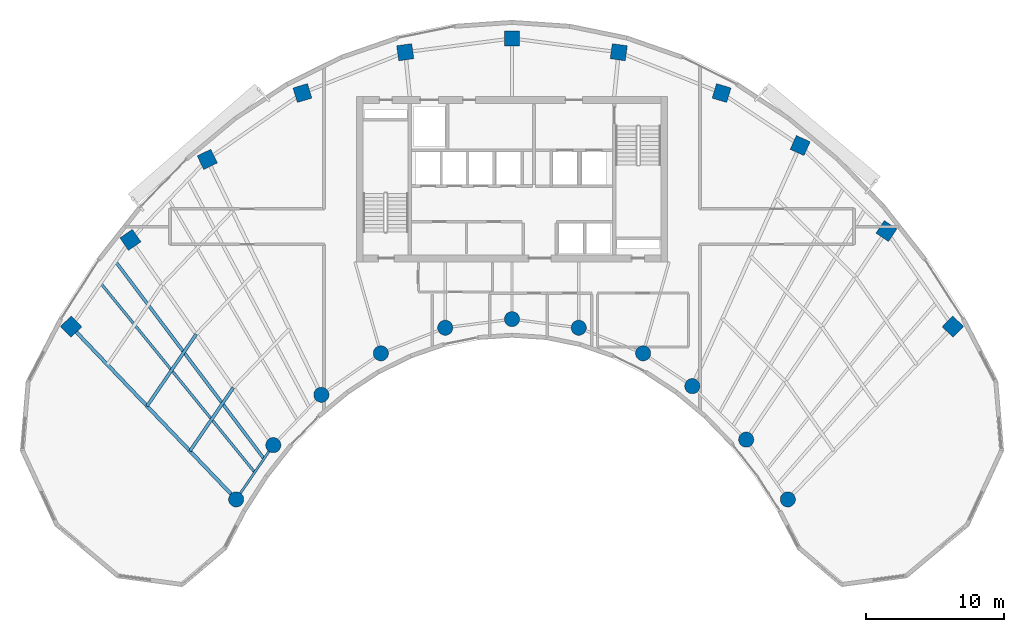
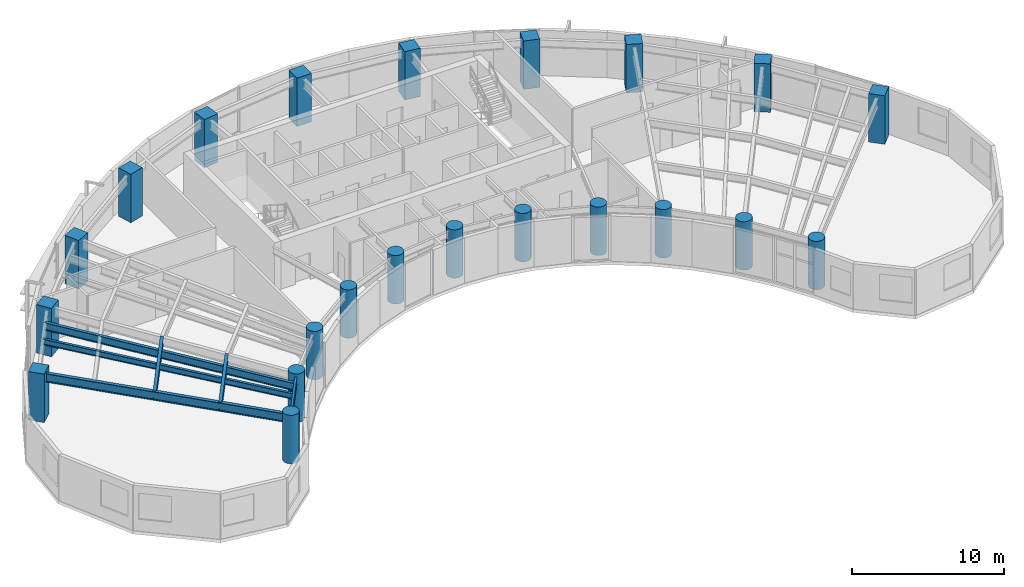
# One storey, part 1 of 13: 22 columns, 6 beams.
"""IFC4 building model written with IfcOpenShell, lengths in metres."""

from ifc_helpers import new_model, si_unit, direction, frame, origin, origin_2d, place, context, subcontext, project, spatial, rectangle, circle, i_section, extrude, source, transform, mapped, material, material_profile, profile_set, type_object, type_shapes, element, save


model = new_model("IFC4")

# Units and contexts
model_context = context("Model", 3, precision=1e-05, world=origin(), true_north=direction((0.0, 1.0)))
body_context = subcontext(model_context, "Body", "Model", "MODEL_VIEW")
ifc_project = project(units=[si_unit("LENGTHUNIT", "METRE"), si_unit("AREAUNIT", "SQUARE_METRE"), si_unit("VOLUMEUNIT", "CUBIC_METRE"), si_unit("PLANEANGLEUNIT", "RADIAN"), si_unit("MASSUNIT", "GRAM", prefix="KILO")], contexts=[model_context])

# Site, building, storey
site_placement = place(None, origin())
site = spatial("IfcSite", under=ifc_project, at=site_placement, CompositionType="ELEMENT")
building_placement = place(site_placement, origin())
building = spatial("IfcBuilding", under=site, at=building_placement, Name="Breltana Convention Tower", CompositionType="ELEMENT")
storey_placement = place(building_placement, frame((0.0, 0.0, 154.5)))
storey = spatial("IfcBuildingStorey", under=building, at=storey_placement, Name="L37", CompositionType="ELEMENT", Elevation=154.5)

# Columns
ifc_material_1 = material(Name="Concrete C60/75", Category="concrete")
ifc_material_profile_1 = material_profile(ifc_material_1, rectangle(XDim=1.10009765625, YDim=1.10009765625, at=origin_2d()), Name="RC-COL-1100X1100")
ifc_profile_set_1 = profile_set([ifc_material_profile_1], Name="Concrete C60/75")
column_type_1 = type_object("IfcColumnType", Name="COL-RC-1100", PredefinedType="COLUMN", material=ifc_profile_set_1)
shared_shape_1 = source(origin(), body_context, "Body", "SweptSolid", [
    extrude(rectangle(XDim=1.10009765625, YDim=1.10009765625, at=origin_2d()), origin(), (0.0, 0.0, 1.0), 3.89990234375),
])
for number, where, z_axis, x_axis, name in (
    (1, (16.0068359375, 55.494384765625, 0.0), (0.0, 0.0, 1.0), (-0.690756218984, 0.723087716626, 0.0), "L37 Tower Column R01-OUT"),
    (2, (20.310791015625, 61.78857421875, 0.0), (0.0, 0.0, 1.0), (-0.571143442153, 0.820850271661, 0.0), "L37 Tower Column R02-OUT"),
    (3, (25.8876953125, 67.626953125, 0.0), (0.0, 0.0, 1.0), (-0.436173672171, 0.899862504889, 0.0), "L37 Tower Column R03-OUT"),
    (4, (32.791015625, 72.4423828125, 0.0), (0.0, 0.0, 1.0), (-0.288697611798, 0.957420330337, 0.0), "L37 Tower Column R04-OUT"),
    (5, (40.253173828125, 75.404296875, 0.0), (0.0, 0.0, 1.0), (-0.143492621991, 0.98965138682, 0.0), "L37 Tower Column R05-OUT"),
    (6, (48.0, 76.404052734375, 0.0), (0.0, 0.0, 1.0), (0.0, 1.0, 0.0), "L37 Tower Column R06-OUT"),
    (7, (55.746826171875, 75.404296875, 0.0), (0.0, 0.0, 1.0), (0.143492621991, 0.98965138682, 0.0), "L37 Tower Column R07-OUT"),
    (8, (63.208984375, 72.4423828125, 0.0), (0.0, 0.0, 1.0), (0.288697611798, 0.957420330337, 0.0), "L37 Tower Column R08-OUT"),
    (9, (68.910400390625, 68.63330078125, 0.0), (0.0, 0.0, 1.0), (0.409126902895, 0.912477494148, 0.0), "L37 Tower Column R09-OUT"),
    (10, (75.166748046875, 62.43017578125, 0.0), (0.0, 0.0, 1.0), (0.55774510898, 0.830012285095, 0.0), "L37 Tower Column R10-OUT"),
    (11, (79.9931640625, 55.494384765625, 0.0), (0.0, 0.0, 1.0), (0.690756218984, 0.723087716626, 0.0), "L37 Tower Column R11-OUT"),
):
    element("IfcColumn", number, at=place(storey_placement, frame(where, z_axis=z_axis, x_axis=x_axis)), inside=storey, type_object=column_type_1, Name=name, PredefinedType="COLUMN", context=body_context, shape_type="MappedRepresentation", body=[
        mapped(shared_shape_1, transform((0.0, 0.0, 0.0), scale=1.0)),
    ])
ifc_material_2 = material(Name="Concrete C50/60", Category="concrete")
ifc_material_profile_2 = material_profile(ifc_material_2, circle(Radius=0.550048828125, at=origin_2d()), Name="RC-COL-D1100")
ifc_profile_set_2 = profile_set([ifc_material_profile_2], Name="Concrete C50/60")
column_type_2 = type_object("IfcColumnType", Name="COL-RC-D1100", PredefinedType="COLUMN", material=ifc_profile_set_2)
shared_shape_2 = source(origin(), body_context, "Body", "SweptSolid", [
    extrude(circle(Radius=0.550048828125, at=origin_2d()), origin(), (0.0, 0.0, 1.0), 3.89990234375),
])
for number, where, z_axis, x_axis, name in (
    (12, (27.984619140625, 42.95458984375, 0.0), (0.0, 0.0, 1.0), (-0.690756218984, 0.723087716626, 0.0), "L37 Tower Column R01-IN"),
    (13, (30.67724609375, 46.892333984375, 0.0), (0.0, 0.0, 1.0), (-0.571143442153, 0.820850271661, 0.0), "L37 Tower Column R02-IN"),
    (14, (34.166259765625, 50.544921875, 0.0), (0.0, 0.0, 1.0), (-0.436173672171, 0.899862504889, 0.0), "L37 Tower Column R03-IN"),
    (15, (38.485107421875, 53.5576171875, 0.0), (0.0, 0.0, 1.0), (-0.288697611798, 0.957420330337, 0.0), "L37 Tower Column R04-IN"),
    (16, (43.153564453125, 55.41064453125, 0.0), (0.0, 0.0, 1.0), (-0.143492621991, 0.98965138682, 0.0), "L37 Tower Column R05-IN"),
    (17, (48.0, 56.035888671875, 0.0), (0.0, 0.0, 1.0), (0.0, 1.0, 0.0), "L37 Tower Column R06-IN"),
    (18, (52.846435546875, 55.41064453125, 0.0), (0.0, 0.0, 1.0), (0.143492621991, 0.98965138682, 0.0), "L37 Tower Column R07-IN"),
    (19, (57.514892578125, 53.5576171875, 0.0), (0.0, 0.0, 1.0), (0.288697611798, 0.957420330337, 0.0), "L37 Tower Column R08-IN"),
    (20, (61.08203125, 51.174560546875, 0.0), (0.0, 0.0, 1.0), (0.409126902895, 0.912477494148, 0.0), "L37 Tower Column R09-IN"),
    (21, (64.995849609375, 47.293701171875, 0.0), (0.0, 0.0, 1.0), (0.55774510898, 0.830012285095, 0.0), "L37 Tower Column R10-IN"),
    (22, (68.015380859375, 42.95458984375, 0.0), (0.0, 0.0, 1.0), (0.690756218984, 0.723087716626, 0.0), "L37 Tower Column R11-IN"),
):
    element("IfcColumn", number, at=place(storey_placement, frame(where, z_axis=z_axis, x_axis=x_axis)), inside=storey, type_object=column_type_2, Name=name, PredefinedType="COLUMN", context=body_context, shape_type="MappedRepresentation", body=[
        mapped(shared_shape_2, transform((0.0, 0.0, 0.0), scale=1.0)),
    ])

# Beams
ifc_material_3 = material(Name="Steel ASTM A992 Grade 50", Category="steel")
ifc_material_profile_3 = material_profile(ifc_material_3, i_section(OverallWidth=0.25390625, OverallDepth=0.68798828125, WebThickness=0.01318359375, FlangeThickness=0.02099609375, at=origin_2d()), Name="W27X102")
ifc_profile_set_3 = profile_set([ifc_material_profile_3], Name="Steel ASTM A992 Grade 50")
beam_type_1 = type_object("IfcBeamType", Name="BM-RG-W27X102", PredefinedType="USERDEFINED", material=ifc_profile_set_3)
shared_shape_3 = source(origin(), body_context, "Body", "SweptSolid", [
    extrude(i_section(OverallWidth=0.25390625, OverallDepth=0.68798828125, WebThickness=0.01318359375, FlangeThickness=0.02099609375, at=origin_2d()), origin(), (0.0, 0.0, 1.0), 17.341064453125),
])
type_shapes(beam_type_1, [shared_shape_3])
beam_1_placement = place(storey_placement, frame((27.984619140625, 42.95458984375, 3.305908203125), z_axis=(-0.690716462293, 0.723125693581, 0.0), x_axis=(-0.723125693581, -0.690716462293, 0.0)))
element("IfcBeam", 23, at=beam_1_placement, inside=storey, type_object=beam_type_1, Name="L37 Radial Floor Girder R01", ObjectType="GIRDER", PredefinedType="USERDEFINED", context=body_context, shape_type="MappedRepresentation", body=[
    mapped(shared_shape_3, transform((0.0, 0.0, 0.0), scale=1.0)),
])
ifc_material_profile_4 = material_profile(ifc_material_3, i_section(OverallWidth=0.166015625, OverallDepth=0.534912109375, WebThickness=0.01025390625, FlangeThickness=0.0166015625, at=origin_2d()), Name="W21X57")
ifc_profile_set_4 = profile_set([ifc_material_profile_4], Name="Steel ASTM A992 Grade 50")
beam_type_2 = type_object("IfcBeamType", Name="BM-BM-W21X57", PredefinedType="BEAM", material=ifc_profile_set_4)
shared_shape_4 = source(origin(), body_context, "Body", "SweptSolid", [
    extrude(i_section(OverallWidth=0.166015625, OverallDepth=0.534912109375, WebThickness=0.01025390625, FlangeThickness=0.0166015625, at=origin_2d()), origin(), (0.0, 0.0, 1.0), 4.770263671875),
])
beam_2_placement = place(storey_placement, frame((27.984619140625, 42.95458984375, 3.382568359375), z_axis=(0.564452719055, 0.82546540082, 0.0), x_axis=(-0.82546540082, 0.564452719055, 0.0)))
element("IfcBeam", 24, at=beam_2_placement, inside=storey, type_object=beam_type_2, Name="L37 Inner Ring Beam 01", PredefinedType="BEAM", context=body_context, shape_type="MappedRepresentation", body=[
    mapped(shared_shape_4, transform((0.0, 0.0, 0.0), scale=1.0)),
])
ifc_material_profile_5 = material_profile(ifc_material_3, i_section(OverallWidth=0.22802734375, OverallDepth=0.60791015625, WebThickness=0.01123046875, FlangeThickness=0.017333984375, at=origin_2d()), Name="W24X76")
ifc_profile_set_5 = profile_set([ifc_material_profile_5], Name="Steel ASTM A992 Grade 50")
beam_type_3 = type_object("IfcBeamType", Name="BM-JSG-02", PredefinedType="JOIST", material=ifc_profile_set_5)
shared_shape_5 = source(origin(), body_context, "Body", "SweptSolid", [
    extrude(i_section(OverallWidth=0.22802734375, OverallDepth=0.60791015625, WebThickness=0.01123046875, FlangeThickness=0.017333984375, at=origin_2d()), origin(), (0.0, 0.0, 1.0), 5.569580078125),
])
beam_3_placement = place(storey_placement, frame((24.630615234375, 46.4658203125, 3.345947265625), z_axis=(0.564493760458, 0.825437335237, 0.0), x_axis=(-0.825437335237, 0.564493760458, 0.0)))
element("IfcBeam", 25, at=beam_3_placement, inside=storey, type_object=beam_type_3, Name="L37 Composite Floor Joist 01.1", PredefinedType="JOIST", context=body_context, shape_type="MappedRepresentation", body=[
    mapped(shared_shape_5, transform((0.0, 0.0, 0.0), scale=1.0)),
])
shared_shape_6 = source(origin(), body_context, "Body", "SweptSolid", [
    extrude(i_section(OverallWidth=0.22802734375, OverallDepth=0.60791015625, WebThickness=0.01123046875, FlangeThickness=0.017333984375, at=origin_2d()), origin(), (0.0, 0.0, 1.0), 6.311767578125),
])
beam_4_placement = place(storey_placement, frame((21.5166015625, 49.72607421875, 3.345947265625), z_axis=(0.564453712577, 0.825464721449, 0.0), x_axis=(-0.825464721449, 0.564453712577, 0.0)))
element("IfcBeam", 26, at=beam_4_placement, inside=storey, type_object=beam_type_3, Name="L37 Composite Floor Joist 01.2", PredefinedType="JOIST", context=body_context, shape_type="MappedRepresentation", body=[
    mapped(shared_shape_6, transform((0.0, 0.0, 0.0), scale=1.0)),
])
ifc_material_profile_6 = material_profile(ifc_material_3, i_section(OverallWidth=0.19091796875, OverallDepth=0.4599609375, WebThickness=0.010009765625, FlangeThickness=0.01611328125, at=origin_2d()), Name="W18X55")
ifc_profile_set_6 = profile_set([ifc_material_profile_6], Name="Steel ASTM A992 Grade 50")
beam_type_4 = type_object("IfcBeamType", Name="BM-JSG-07", PredefinedType="JOIST", material=ifc_profile_set_6)
shared_shape_7 = source(origin(), body_context, "Body", "SweptSolid", [
    extrude(i_section(OverallWidth=0.19091796875, OverallDepth=0.4599609375, WebThickness=0.010009765625, FlangeThickness=0.01611328125, at=origin_2d()), origin(), (0.0, 0.0, 1.0), 17.691650390625),
])
beam_5_placement = place(storey_placement, frame((29.330810546875, 44.923583984375, 3.419921875), z_axis=(-0.631476958478, 0.775394642044, 0.0), x_axis=(-0.775394642044, -0.631476958478, 0.0)))
element("IfcBeam", 27, at=beam_5_placement, inside=storey, type_object=beam_type_4, Name="L37 Mid-Bay Radial Trimmer 01", PredefinedType="JOIST", context=body_context, shape_type="MappedRepresentation", body=[
    mapped(shared_shape_7, transform((0.0, 0.0, 0.0), scale=1.0)),
])
shared_shape_8 = source(origin(), body_context, "Body", "SweptSolid", [
    extrude(i_section(OverallWidth=0.22802734375, OverallDepth=0.60791015625, WebThickness=0.01123046875, FlangeThickness=0.017333984375, at=origin_2d()), origin(), (0.0, 0.0, 1.0), 17.9072265625),
])
beam_6_placement = place(storey_placement, frame((30.00390625, 45.907958984375, 3.345947265625), z_axis=(-0.601382105028, 0.798961553363, 0.0), x_axis=(-0.798961553363, -0.601382105028, 0.0)))
element("IfcBeam", 28, at=beam_6_placement, inside=storey, type_object=beam_type_3, Name="L37 Quarter-Bay Radial Trimmer 01", PredefinedType="JOIST", context=body_context, shape_type="MappedRepresentation", body=[
    mapped(shared_shape_8, transform((0.0, 0.0, 0.0), scale=1.0)),
])

save(model, "model.ifc")
